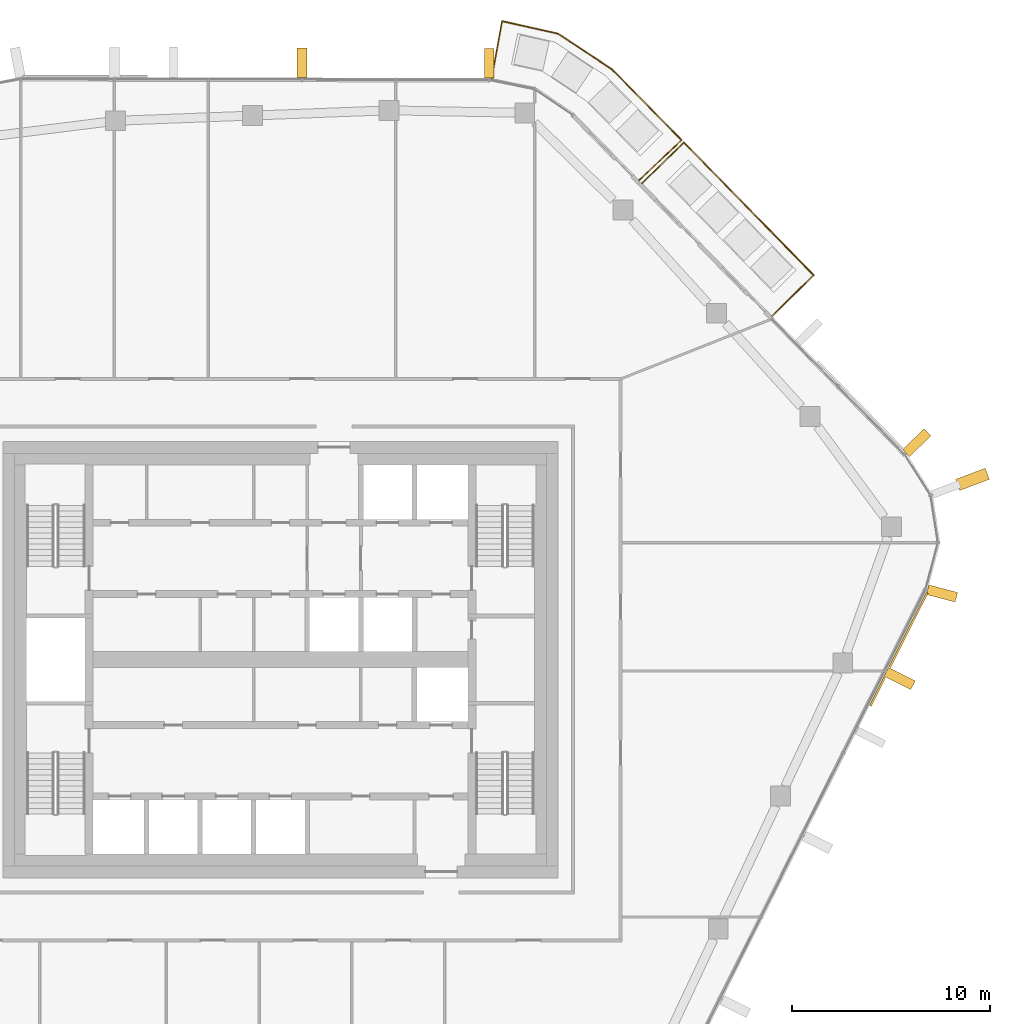
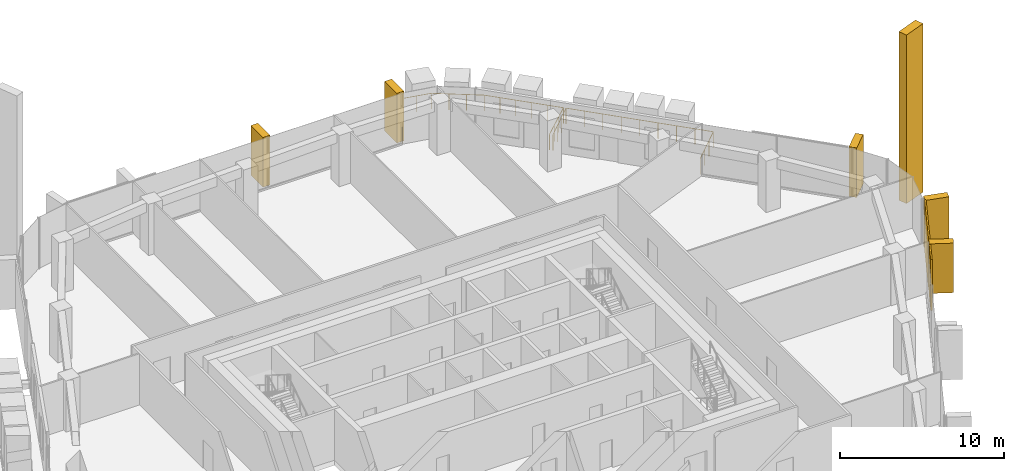
# One storey, part 24 of 24: 8 coverings, 2 railings, 4 elements without a shape of their own.
"""IFC4 building model written with IfcOpenShell, lengths in metres."""

from ifc_helpers import new_model, si_unit, direction, frame, origin, origin_2d, place, context, subcontext, project, spatial, rectangle, circle, extrude, material, layer, layer_set, material_profile, profile_set, type_object, element, aggregate, save


model = new_model("IFC4")

# Units and contexts
model_context = context("Model", 3, precision=1e-05, world=origin(), true_north=direction((0.0, 1.0)))
body_context = subcontext(model_context, "Body", "Model", "MODEL_VIEW")
ifc_project = project(units=[si_unit("LENGTHUNIT", "METRE"), si_unit("AREAUNIT", "SQUARE_METRE"), si_unit("VOLUMEUNIT", "CUBIC_METRE"), si_unit("PLANEANGLEUNIT", "RADIAN"), si_unit("MASSUNIT", "GRAM", prefix="KILO")], contexts=[model_context])

# Site, building, storey
site_placement = place(None, origin())
site = spatial("IfcSite", under=ifc_project, at=site_placement, CompositionType="ELEMENT")
building_placement = place(site_placement, origin())
building = spatial("IfcBuilding", under=site, at=building_placement, Name="Dongbaek Canopy Tower", CompositionType="ELEMENT")
storey_placement = place(building_placement, frame((0.0, 0.0, 306.800048828125)))
storey = spatial("IfcBuildingStorey", under=building, at=storey_placement, Name="L65", CompositionType="ELEMENT", Elevation=306.800048828125)

# Railings
ifc_material_1 = material(Name="Stainless steel", Category="steel")
railing_type = type_object("IfcRailingType", Name="Balcony balustrade 1200", PredefinedType="BALUSTRADE", material=ifc_material_1)
railing_1_placement = place(storey_placement, frame((24.77685546875, 17.32568359375, 0.0)))
element("IfcRailing", 1, at=railing_1_placement, inside=storey, type_object=railing_type, Name="Balcony guard L65 1", PredefinedType="BALUSTRADE", context=body_context, shape_type="SweptSolid", body=[
    extrude(circle(Radius=0.02392578125, at=origin_2d()), frame((0.0, 0.0, 1.17578125), z_axis=(0.714746485487, 0.699383629694, 0.0), x_axis=(-0.699383629694, 0.714746485487, 0.0)), (0.0, 0.0, 1.0), 2.93994140625),
    extrude(circle(Radius=0.02392578125, at=origin_2d()), frame((2.101318359375, 2.05615234375, 1.17578125), z_axis=(-0.699339380797, 0.714789780611, 0.0), x_axis=(-0.714789780611, -0.699339380797, 0.0)), (0.0, 0.0, 1.0), 9.3544921875),
    extrude(circle(Radius=0.02392578125, at=origin_2d()), frame((-4.440673828125, 8.74267578125, 1.17578125), z_axis=(-0.714787101051, -0.699342119546, 0.0), x_axis=(0.699342119546, -0.714787101051, 0.0)), (0.0, 0.0, 1.0), 2.940185546875),
    extrude(circle(Radius=0.02099609375, at=origin_2d()), origin(), (0.0, 0.0, 1.0), 1.15185546875),
    extrude(circle(Radius=0.02099609375, at=origin_2d()), frame((0.700439453125, 0.685302734375, 0.0)), (0.0, 0.0, 1.0), 1.15185546875),
    extrude(circle(Radius=0.02099609375, at=origin_2d()), frame((1.40087890625, 1.370849609375, 0.0)), (0.0, 0.0, 1.0), 1.15185546875),
    extrude(circle(Radius=0.02099609375, at=origin_2d()), frame((2.101318359375, 2.05615234375, 0.0)), (0.0, 0.0, 1.0), 1.15185546875),
    extrude(circle(Radius=0.02099609375, at=origin_2d()), frame((1.28369140625, 2.89208984375, 0.0)), (0.0, 0.0, 1.0), 1.15185546875),
    extrude(circle(Radius=0.02099609375, at=origin_2d()), frame((0.4658203125, 3.727783203125, 0.0)), (0.0, 0.0, 1.0), 1.15185546875),
    extrude(circle(Radius=0.02099609375, at=origin_2d()), frame((-0.35205078125, 4.5634765625, 0.0)), (0.0, 0.0, 1.0), 1.15185546875),
    extrude(circle(Radius=0.02099609375, at=origin_2d()), frame((-1.169677734375, 5.3994140625, 0.0)), (0.0, 0.0, 1.0), 1.15185546875),
    extrude(circle(Radius=0.02099609375, at=origin_2d()), frame((-1.9873046875, 6.2353515625, 0.0)), (0.0, 0.0, 1.0), 1.15185546875),
    extrude(circle(Radius=0.02099609375, at=origin_2d()), frame((-2.80517578125, 7.071044921875, 0.0)), (0.0, 0.0, 1.0), 1.15185546875),
    extrude(circle(Radius=0.02099609375, at=origin_2d()), frame((-3.623046875, 7.90673828125, 0.0)), (0.0, 0.0, 1.0), 1.15185546875),
    extrude(circle(Radius=0.02099609375, at=origin_2d()), frame((-4.440673828125, 8.74267578125, 0.0)), (0.0, 0.0, 1.0), 1.15185546875),
    extrude(circle(Radius=0.02099609375, at=origin_2d()), frame((-5.14111328125, 8.057373046875, 0.0)), (0.0, 0.0, 1.0), 1.15185546875),
    extrude(circle(Radius=0.02099609375, at=origin_2d()), frame((-5.841796875, 7.371826171875, 0.0)), (0.0, 0.0, 1.0), 1.15185546875),
    extrude(circle(Radius=0.02099609375, at=origin_2d()), frame((-6.542236328125, 6.6865234375, 0.0)), (0.0, 0.0, 1.0), 1.15185546875),
])
railing_2_placement = place(storey_placement, frame((18.080810546875, 24.16943359375, 0.0)))
element("IfcRailing", 2, at=railing_2_placement, inside=storey, type_object=railing_type, Name="Balcony guard L65 5", PredefinedType="BALUSTRADE", context=body_context, shape_type="SweptSolid", body=[
    extrude(circle(Radius=0.02392578125, at=origin_2d()), frame((0.0, 0.0, 1.17578125), z_axis=(0.728886991978, 0.68463402846, 0.0), x_axis=(-0.68463402846, 0.728886991978, 0.0)), (0.0, 0.0, 1.0), 2.9404296875),
    extrude(circle(Radius=0.02392578125, at=origin_2d()), frame((2.143310546875, 2.01318359375, 1.17578125), z_axis=(-0.701403600753, 0.71276432911, 0.0), x_axis=(-0.71276432911, -0.701403600753, 0.0)), (0.0, 0.0, 1.0), 5.028564453125),
    extrude(circle(Radius=0.02392578125, at=origin_2d()), frame((-1.3837890625, 5.597412109375, 1.17578125), z_axis=(-0.834016900205, 0.551738896737, 0.0), x_axis=(-0.551738896737, -0.834016900205, 0.0)), (0.0, 0.0, 1.0), 3.23828125),
    extrude(circle(Radius=0.02392578125, at=origin_2d()), frame((-4.08447265625, 7.384033203125, 1.17578125), z_axis=(-0.975762905235, 0.218830420112, 0.0), x_axis=(-0.218830420112, -0.975762905235, 0.0)), (0.0, 0.0, 1.0), 2.8974609375),
    extrude(circle(Radius=0.02392578125, at=origin_2d()), frame((-6.91162109375, 8.01806640625, 1.17578125), z_axis=(-0.179338414791, -0.983787442988, 0.0), x_axis=(0.983787442988, -0.179338414791, 0.0)), (0.0, 0.0, 1.0), 2.9404296875),
    extrude(circle(Radius=0.02099609375, at=origin_2d()), origin(), (0.0, 0.0, 1.0), 1.15185546875),
    extrude(circle(Radius=0.02099609375, at=origin_2d()), frame((0.71435546875, 0.671142578125, 0.0)), (0.0, 0.0, 1.0), 1.15185546875),
    extrude(circle(Radius=0.02099609375, at=origin_2d()), frame((1.428955078125, 1.342041015625, 0.0)), (0.0, 0.0, 1.0), 1.15185546875),
    extrude(circle(Radius=0.02099609375, at=origin_2d()), frame((2.143310546875, 2.01318359375, 0.0)), (0.0, 0.0, 1.0), 1.15185546875),
    extrude(circle(Radius=0.02099609375, at=origin_2d()), frame((1.43798828125, 2.72998046875, 0.0)), (0.0, 0.0, 1.0), 1.15185546875),
    extrude(circle(Radius=0.02099609375, at=origin_2d()), frame((0.732421875, 3.44677734375, 0.0)), (0.0, 0.0, 1.0), 1.15185546875),
    extrude(circle(Radius=0.02099609375, at=origin_2d()), frame((0.027099609375, 4.163818359375, 0.0)), (0.0, 0.0, 1.0), 1.15185546875),
    extrude(circle(Radius=0.02099609375, at=origin_2d()), frame((-0.678466796875, 4.880615234375, 0.0)), (0.0, 0.0, 1.0), 1.15185546875),
    extrude(circle(Radius=0.02099609375, at=origin_2d()), frame((-1.3837890625, 5.597412109375, 0.0)), (0.0, 0.0, 1.0), 1.15185546875),
    extrude(circle(Radius=0.02099609375, at=origin_2d()), frame((-2.283935546875, 6.19287109375, 0.0)), (0.0, 0.0, 1.0), 1.15185546875),
    extrude(circle(Radius=0.02099609375, at=origin_2d()), frame((-3.184326171875, 6.78857421875, 0.0)), (0.0, 0.0, 1.0), 1.15185546875),
    extrude(circle(Radius=0.02099609375, at=origin_2d()), frame((-4.08447265625, 7.384033203125, 0.0)), (0.0, 0.0, 1.0), 1.15185546875),
    extrude(circle(Radius=0.02099609375, at=origin_2d()), frame((-5.02685546875, 7.595458984375, 0.0)), (0.0, 0.0, 1.0), 1.15185546875),
    extrude(circle(Radius=0.02099609375, at=origin_2d()), frame((-5.96923828125, 7.806640625, 0.0)), (0.0, 0.0, 1.0), 1.15185546875),
    extrude(circle(Radius=0.02099609375, at=origin_2d()), frame((-6.91162109375, 8.01806640625, 0.0)), (0.0, 0.0, 1.0), 1.15185546875),
    extrude(circle(Radius=0.02099609375, at=origin_2d()), frame((-7.08740234375, 7.0537109375, 0.0)), (0.0, 0.0, 1.0), 1.15185546875),
    extrude(circle(Radius=0.02099609375, at=origin_2d()), frame((-7.26318359375, 6.089599609375, 0.0)), (0.0, 0.0, 1.0), 1.15185546875),
    extrude(circle(Radius=0.02099609375, at=origin_2d()), frame((-7.43896484375, 5.125244140625, 0.0)), (0.0, 0.0, 1.0), 1.15185546875),
])

# Curtain wall, covering
ifc_material_2 = material(Name="Aluminium 6063-T6 pale anodised", Category="aluminium")
ifc_layer_1 = layer(ifc_material_2, 0.199951171875)
ifc_layer_set_1 = layer_set([ifc_layer_1], Name="CW-1 unitised tower curtain wall")
curtain_wall_type = type_object("IfcCurtainWallType", Name="CW-1 unitised tower curtain wall", PredefinedType="NOTDEFINED", material=ifc_layer_set_1)
curtain_wall_1_placement = place(storey_placement, origin())
curtain_wall_1 = element("IfcCurtainWall", 3, at=curtain_wall_1_placement, inside=storey, type_object=curtain_wall_type, Name="CW-1 curtain wall K0.1", PredefinedType="NOTDEFINED")
ifc_material_3 = material(Name="Aluminium 6063-T6 pale metal fin", Category="aluminium")
ifc_material_profile_1 = material_profile(ifc_material_3, rectangle(XDim=1.60009765625, YDim=0.60009765625, at=origin_2d()), Name="Corner fin CN1 600 x 1600 pale metal")
ifc_profile_set_1 = profile_set([ifc_material_profile_1], Name="Aluminium 6063-T6 pale metal fin")
covering_type_1 = type_object("IfcCoveringType", Name="Corner fin CN1 600 x 1600 pale metal", PredefinedType="CLADDING", material=ifc_profile_set_1)
covering_1_placement = place(storey_placement, frame((34.885009765625, 9.087890625, -0.18994140625), z_axis=(0.0, 0.0, 1.0), x_axis=(0.93545266757, 0.353451986464, 0.0)))
covering_1 = element("IfcCovering", 4, at=covering_1_placement, type_object=covering_type_1, Name="Corner fin L65 L67 K0", PredefinedType="CLADDING", context=body_context, shape_type="SweptSolid", body=[
    extrude(rectangle(XDim=1.60009765625, YDim=0.60009765625, at=origin_2d()), origin(), (0.0, 0.0, 1.0), 12.579833984375),
])

# Curtain wall, coverings
curtain_wall_2_placement = place(storey_placement, origin())
curtain_wall_2 = element("IfcCurtainWall", 5, at=curtain_wall_2_placement, inside=storey, type_object=curtain_wall_type, Name="CW-1 curtain wall F5.1", PredefinedType="NOTDEFINED")
ifc_material_4 = material(Name="Perforated aluminium 6063-T6 pale metal screen", Category="aluminium")
ifc_layer_2 = layer(ifc_material_4, 0.10009765625)
ifc_layer_set_2 = layer_set([ifc_layer_2], Name="Facet screen FS1 100 pale metal")
covering_type_2 = type_object("IfcCoveringType", Name="Facet screen FS1 100 pale metal", PredefinedType="CLADDING", material=ifc_layer_set_2)
covering_2_placement = place(storey_placement, frame((30.098388671875, -1.6171875, 0.0), z_axis=(0.0, 0.0, 1.0), x_axis=(0.448598489649, 0.89373340269, 0.0)))
covering_2 = element("IfcCovering", 6, at=covering_2_placement, type_object=covering_type_2, Name="Facet screen L65 F5", PredefinedType="CLADDING", context=body_context, shape_type="SweptSolid", body=[
    extrude(rectangle(XDim=1.609375, YDim=0.10009765625, at=origin_2d()), origin(), (0.0, 0.0, 1.0), 3.820068359375),
])
covering_3_placement = place(storey_placement, frame((31.663818359375, 1.50146484375, 0.0), z_axis=(0.0, 0.0, 1.0), x_axis=(0.448598489649, 0.89373340269, 0.0)))
covering_3 = element("IfcCovering", 7, at=covering_3_placement, type_object=covering_type_2, Name="Facet screen L65 F5", PredefinedType="CLADDING", context=body_context, shape_type="SweptSolid", body=[
    extrude(rectangle(XDim=4.20947265625, YDim=0.10009765625, at=origin_2d()), origin(), (0.0, 0.0, 1.0), 3.820068359375),
])

# Covering
ifc_material_5 = material(Name="Aluminium 6063-T6 pale metal fin", Category="aluminium")
ifc_material_profile_2 = material_profile(ifc_material_5, rectangle(XDim=1.5, YDim=0.5, at=origin_2d()), Name="Fin FN1 500 x 1500 pale metal")
ifc_profile_set_2 = profile_set([ifc_material_profile_2], Name="Aluminium 6063-T6 pale metal fin")
covering_type_3 = type_object("IfcCoveringType", Name="Fin FN1 500 x 1500 pale metal", PredefinedType="CLADDING", material=ifc_profile_set_2)
covering_4_placement = place(storey_placement, frame((33.35107421875, 3.333984375, 0.119873046875), z_axis=(0.0, 0.0, 1.0), x_axis=(0.966753373375, -0.255710608049, 0.0)))
covering_4 = element("IfcCovering", 8, at=covering_4_placement, type_object=covering_type_3, Name="Fin K0.1.1", PredefinedType="CLADDING", context=body_context, shape_type="SweptSolid", body=[
    extrude(rectangle(XDim=1.5, YDim=0.5, at=origin_2d()), origin(), (0.0, 0.0, 1.0), 3.7001953125),
])

aggregate(curtain_wall_1, [covering_4, covering_1])

# Curtain wall, covering
curtain_wall_3_placement = place(storey_placement, origin())
curtain_wall_3 = element("IfcCurtainWall", 9, at=curtain_wall_3_placement, inside=storey, type_object=curtain_wall_type, Name="CW-1 curtain wall F0.1", PredefinedType="NOTDEFINED")
covering_5_placement = place(storey_placement, frame((32.07861328125, 10.935302734375, 0.119873046875), z_axis=(0.0, 0.0, 1.0), x_axis=(0.714780141035, 0.699349233203, 0.0)))
covering_5 = element("IfcCovering", 10, at=covering_5_placement, type_object=covering_type_3, Name="Fin F0.1.1", PredefinedType="CLADDING", context=body_context, shape_type="SweptSolid", body=[
    extrude(rectangle(XDim=1.5, YDim=0.5, at=origin_2d()), origin(), (0.0, 0.0, 1.0), 3.7001953125),
])
aggregate(curtain_wall_3, [covering_5])

# Curtain wall, coverings
curtain_wall_4_placement = place(storey_placement, origin())
curtain_wall_4 = element("IfcCurtainWall", 11, at=curtain_wall_4_placement, inside=storey, type_object=curtain_wall_type, Name="CW-1 curtain wall F1.1", PredefinedType="NOTDEFINED")
covering_6_placement = place(storey_placement, frame((10.52587890625, 30.066650390625, 0.119873046875), z_axis=(0.0, 0.0, 1.0), x_axis=(0.002180161438, 0.999997623445, 0.0)))
covering_6 = element("IfcCovering", 12, at=covering_6_placement, type_object=covering_type_3, Name="Fin F1.1.1", PredefinedType="CLADDING", context=body_context, shape_type="SweptSolid", body=[
    extrude(rectangle(XDim=1.5, YDim=0.5, at=origin_2d()), origin(), (0.0, 0.0, 1.0), 3.7001953125),
])
covering_7_placement = place(storey_placement, frame((1.08349609375, 30.087158203125, 0.119873046875), z_axis=(0.0, 0.0, 1.0), x_axis=(0.002180161438, 0.999997623445, 0.0)))
covering_7 = element("IfcCovering", 13, at=covering_7_placement, type_object=covering_type_3, Name="Fin F1.1.3", PredefinedType="CLADDING", context=body_context, shape_type="SweptSolid", body=[
    extrude(rectangle(XDim=1.5, YDim=0.5, at=origin_2d()), origin(), (0.0, 0.0, 1.0), 3.7001953125),
])
aggregate(curtain_wall_4, [covering_6, covering_7])

# Covering
covering_8_placement = place(storey_placement, frame((31.21875, -0.95458984375, 0.119873046875), z_axis=(0.0, 0.0, 1.0), x_axis=(0.893733414129, -0.448598466859, 0.0)))
covering_8 = element("IfcCovering", 14, at=covering_8_placement, type_object=covering_type_3, Name="Fin F5.1.7", PredefinedType="CLADDING", context=body_context, shape_type="SweptSolid", body=[
    extrude(rectangle(XDim=1.5, YDim=0.5, at=origin_2d()), origin(), (0.0, 0.0, 1.0), 3.7001953125),
])

aggregate(curtain_wall_2, [covering_8, covering_2, covering_3])

save(model, "model.ifc")
